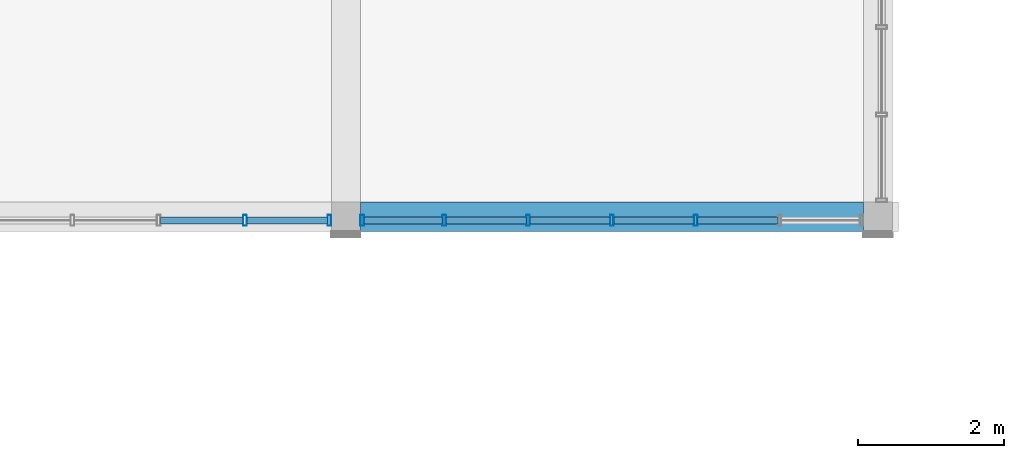
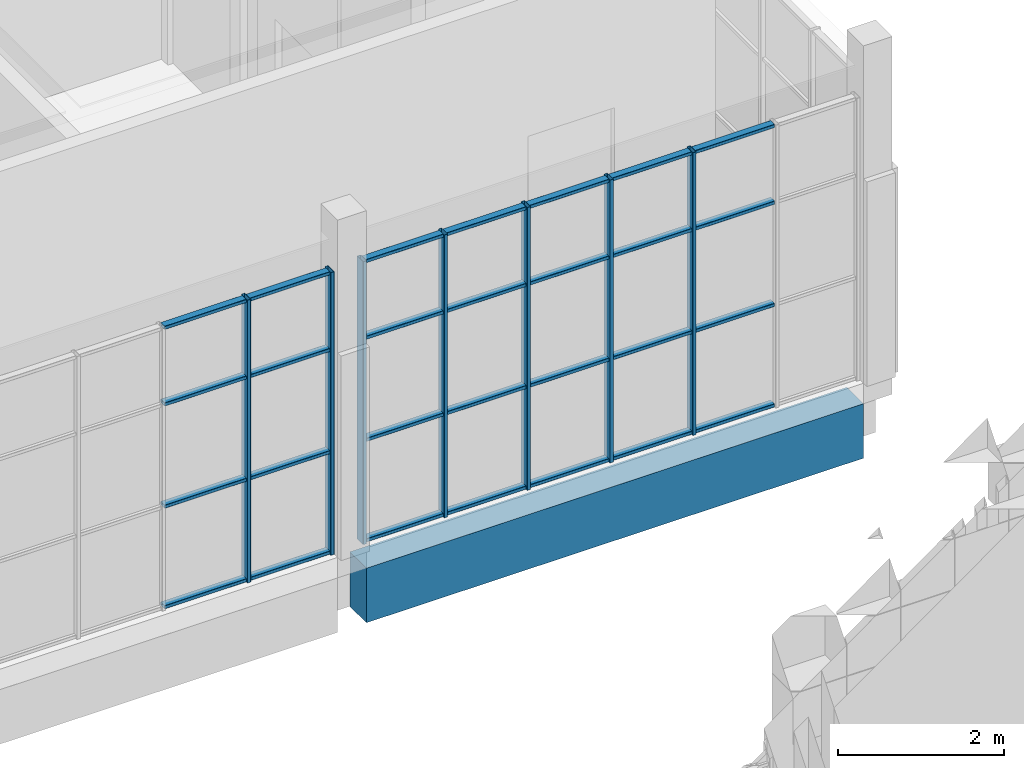
# One storey, part 24 of 125: 35 members, 1 beam, 2 elements without a shape of their own.
"""IFC4 building model written with IfcOpenShell, lengths in metres."""

from ifc_helpers import new_model, si_unit, direction, frame, origin, origin_2d, place, context, subcontext, project, spatial, rectangle, hollow_rectangle, extrude, material, material_profile, profile_set, type_object, element, aggregate, save


model = new_model("IFC4")

# Units and contexts
model_context = context("Model", 3, precision=1e-05, world=origin(), true_north=direction((0.0, 1.0)))
body_context = subcontext(model_context, "Body", "Model", "MODEL_VIEW")
ifc_project = project(units=[si_unit("LENGTHUNIT", "METRE"), si_unit("AREAUNIT", "SQUARE_METRE"), si_unit("VOLUMEUNIT", "CUBIC_METRE"), si_unit("PLANEANGLEUNIT", "RADIAN"), si_unit("MASSUNIT", "GRAM", prefix="KILO")], contexts=[model_context])

# Site, building, storey
site_placement = place(None, origin())
site = spatial("IfcSite", under=ifc_project, at=site_placement, CompositionType="ELEMENT")
building_placement = place(site_placement, origin())
building = spatial("IfcBuilding", under=site, at=building_placement, Name="Sun Court Science Centre", CompositionType="ELEMENT")
storey_placement = place(building_placement, frame((0.0, 0.0, 6.0)))
storey = spatial("IfcBuildingStorey", under=building, at=storey_placement, Name="L01", CompositionType="ELEMENT", Elevation=6.0)

# Curtain wall, members
ifc_material_1 = material(Name="Aluminium EN AW-6063 T6", Category="aluminium")
curtain_wall_type = type_object("IfcCurtainWallType", Name="Pavilion curtain wall 1200", PredefinedType="NOTDEFINED", material=ifc_material_1)
curtain_wall_1_placement = place(storey_placement, origin())
curtain_wall_1 = element("IfcCurtainWall", 1, at=curtain_wall_1_placement, inside=storey, type_object=curtain_wall_type, Name="Curtain wall V5 S L01 01", PredefinedType="NOTDEFINED")
ifc_material_2 = material(Name="Aluminium EN AW-6063 T6", Category="aluminium")
ifc_material_profile_1 = material_profile(ifc_material_2, hollow_rectangle(XDim=0.050048828125, YDim=0.14990234375, WallThickness=0.00390625, InnerFilletRadius=0.00390625, OuterFilletRadius=0.006103515625, at=origin_2d()), Name="AL 50x150x4")
ifc_profile_set_1 = profile_set([ifc_material_profile_1], Name="Aluminium EN AW-6063 T6")
member_type_1 = type_object("IfcMemberType", Name="Curtain wall mullion AL 50x150", PredefinedType="MULLION", material=ifc_profile_set_1)
member_1_placement = place(storey_placement, frame((58.72509765625, 36.14990234375, 0.0), z_axis=(0.0, 0.0, 1.0), x_axis=(-1.0, 0.0, 0.0)))
member_1 = element("IfcMember", 2, at=member_1_placement, type_object=member_type_1, Name="CW3-05 mullion 7", PredefinedType="MULLION", context=body_context, shape_type="SweptSolid", body=[
    extrude(hollow_rectangle(XDim=0.050048828125, YDim=0.14990234375, WallThickness=0.00390625, InnerFilletRadius=0.00390625, OuterFilletRadius=0.006103515625, at=origin_2d()), origin(), (0.0, 0.0, 1.0), 4.14990234375),
])
member_2_placement = place(storey_placement, frame((59.85009765625, 36.14990234375, 0.0), z_axis=(0.0, 0.0, 1.0), x_axis=(-1.0, 0.0, 0.0)))
member_2 = element("IfcMember", 3, at=member_2_placement, type_object=member_type_1, Name="CW3-05 mullion 6", PredefinedType="MULLION", context=body_context, shape_type="SweptSolid", body=[
    extrude(hollow_rectangle(XDim=0.050048828125, YDim=0.14990234375, WallThickness=0.00390625, InnerFilletRadius=0.00390625, OuterFilletRadius=0.006103515625, at=origin_2d()), origin(), (0.0, 0.0, 1.0), 4.14990234375),
])
member_3_placement = place(storey_placement, frame((61.0, 36.14990234375, 0.0), z_axis=(0.0, 0.0, 1.0), x_axis=(-1.0, 0.0, 0.0)))
member_3 = element("IfcMember", 4, at=member_3_placement, type_object=member_type_1, Name="CW3-05 mullion 5", PredefinedType="MULLION", context=body_context, shape_type="SweptSolid", body=[
    extrude(hollow_rectangle(XDim=0.050048828125, YDim=0.14990234375, WallThickness=0.00390625, InnerFilletRadius=0.00390625, OuterFilletRadius=0.006103515625, at=origin_2d()), origin(), (0.0, 0.0, 1.0), 4.14990234375),
])
member_4_placement = place(storey_placement, frame((62.14990234375, 36.14990234375, 0.0), z_axis=(0.0, 0.0, 1.0), x_axis=(-1.0, 0.0, 0.0)))
member_4 = element("IfcMember", 5, at=member_4_placement, type_object=member_type_1, Name="CW3-05 mullion 4", PredefinedType="MULLION", context=body_context, shape_type="SweptSolid", body=[
    extrude(hollow_rectangle(XDim=0.050048828125, YDim=0.14990234375, WallThickness=0.00390625, InnerFilletRadius=0.00390625, OuterFilletRadius=0.006103515625, at=origin_2d()), origin(), (0.0, 0.0, 1.0), 4.14990234375),
])
member_5_placement = place(storey_placement, frame((63.300048828125, 36.14990234375, 0.0), z_axis=(0.0, 0.0, 1.0), x_axis=(-1.0, 0.0, 0.0)))
member_5 = element("IfcMember", 6, at=member_5_placement, type_object=member_type_1, Name="CW3-05 mullion 3", PredefinedType="MULLION", context=body_context, shape_type="SweptSolid", body=[
    extrude(hollow_rectangle(XDim=0.050048828125, YDim=0.14990234375, WallThickness=0.00390625, InnerFilletRadius=0.00390625, OuterFilletRadius=0.006103515625, at=origin_2d()), origin(), (0.0, 0.0, 1.0), 4.14990234375),
])

curtain_wall_2_placement = place(storey_placement, origin())
curtain_wall_2 = element("IfcCurtainWall", 7, at=curtain_wall_2_placement, inside=storey, type_object=curtain_wall_type, Name="Curtain wall V5 S L01 02", PredefinedType="NOTDEFINED")
member_6_placement = place(storey_placement, frame((57.11669921875, 36.14990234375, 0.0), z_axis=(0.0, 0.0, 1.0), x_axis=(-1.0, 0.0, 0.0)))
member_6 = element("IfcMember", 8, at=member_6_placement, type_object=member_type_1, Name="CW3-06 mullion 2", PredefinedType="MULLION", context=body_context, shape_type="SweptSolid", body=[
    extrude(hollow_rectangle(XDim=0.050048828125, YDim=0.14990234375, WallThickness=0.00390625, InnerFilletRadius=0.00390625, OuterFilletRadius=0.006103515625, at=origin_2d()), origin(), (0.0, 0.0, 1.0), 4.14990234375),
])
member_7_placement = place(storey_placement, frame((58.27490234375, 36.14990234375, 0.0), z_axis=(0.0, 0.0, 1.0), x_axis=(-1.0, 0.0, 0.0)))
member_7 = element("IfcMember", 9, at=member_7_placement, type_object=member_type_1, Name="CW3-06 mullion 1", PredefinedType="MULLION", context=body_context, shape_type="SweptSolid", body=[
    extrude(hollow_rectangle(XDim=0.050048828125, YDim=0.14990234375, WallThickness=0.00390625, InnerFilletRadius=0.00390625, OuterFilletRadius=0.006103515625, at=origin_2d()), origin(), (0.0, 0.0, 1.0), 4.14990234375),
])

# Member
ifc_material_3 = material(Name="Aluminium EN AW-6063 T6", Category="aluminium")
ifc_material_profile_2 = material_profile(ifc_material_3, hollow_rectangle(XDim=0.050048828125, YDim=0.10009765625, WallThickness=0.00390625, InnerFilletRadius=0.00390625, OuterFilletRadius=0.006103515625, at=origin_2d()), Name="AL 50x100x4")
ifc_profile_set_2 = profile_set([ifc_material_profile_2], Name="Aluminium EN AW-6063 T6")
member_type_2 = type_object("IfcMemberType", Name="Curtain wall transom AL 50x100", PredefinedType="USERDEFINED", material=ifc_profile_set_2)
member_8_placement = place(storey_placement, frame((59.824951171875, 36.14990234375, 0.02490234375), z_axis=(-1.0, 0.0, 0.0), x_axis=(0.0, 0.0, 1.0)))
member_8 = element("IfcMember", 10, at=member_8_placement, type_object=member_type_2, Name="CW3-05 transom 6.1", ObjectType="TRANSOM", PredefinedType="USERDEFINED", context=body_context, shape_type="SweptSolid", body=[
    extrude(hollow_rectangle(XDim=0.050048828125, YDim=0.10009765625, WallThickness=0.00390625, InnerFilletRadius=0.00390625, OuterFilletRadius=0.006103515625, at=origin_2d()), origin(), (0.0, 0.0, 1.0), 1.074951171875),
])

member_9_placement = place(storey_placement, frame((60.97509765625, 36.14990234375, 0.02490234375), z_axis=(-1.0, 0.0, 0.0), x_axis=(0.0, 0.0, 1.0)))
member_9 = element("IfcMember", 11, at=member_9_placement, type_object=member_type_2, Name="CW3-05 transom 5.1", ObjectType="TRANSOM", PredefinedType="USERDEFINED", context=body_context, shape_type="SweptSolid", body=[
    extrude(hollow_rectangle(XDim=0.050048828125, YDim=0.10009765625, WallThickness=0.00390625, InnerFilletRadius=0.00390625, OuterFilletRadius=0.006103515625, at=origin_2d()), origin(), (0.0, 0.0, 1.0), 1.10009765625),
])

member_10_placement = place(storey_placement, frame((62.125, 36.14990234375, 0.02490234375), z_axis=(-1.0, 0.0, 0.0), x_axis=(0.0, 0.0, 1.0)))
member_10 = element("IfcMember", 12, at=member_10_placement, type_object=member_type_2, Name="CW3-05 transom 4.1", ObjectType="TRANSOM", PredefinedType="USERDEFINED", context=body_context, shape_type="SweptSolid", body=[
    extrude(hollow_rectangle(XDim=0.050048828125, YDim=0.10009765625, WallThickness=0.00390625, InnerFilletRadius=0.00390625, OuterFilletRadius=0.006103515625, at=origin_2d()), origin(), (0.0, 0.0, 1.0), 1.10009765625),
])

member_11_placement = place(storey_placement, frame((63.27490234375, 36.14990234375, 0.02490234375), z_axis=(-1.0, 0.0, 0.0), x_axis=(0.0, 0.0, 1.0)))
member_11 = element("IfcMember", 13, at=member_11_placement, type_object=member_type_2, Name="CW3-05 transom 3.1", ObjectType="TRANSOM", PredefinedType="USERDEFINED", context=body_context, shape_type="SweptSolid", body=[
    extrude(hollow_rectangle(XDim=0.050048828125, YDim=0.10009765625, WallThickness=0.00390625, InnerFilletRadius=0.00390625, OuterFilletRadius=0.006103515625, at=origin_2d()), origin(), (0.0, 0.0, 1.0), 1.099853515625),
])

member_12_placement = place(storey_placement, frame((64.425048828125, 36.14990234375, 0.02490234375), z_axis=(-1.0, 0.0, 0.0), x_axis=(0.0, 0.0, 1.0)))
member_12 = element("IfcMember", 14, at=member_12_placement, type_object=member_type_2, Name="CW3-05 transom 2.1", ObjectType="TRANSOM", PredefinedType="USERDEFINED", context=body_context, shape_type="SweptSolid", body=[
    extrude(hollow_rectangle(XDim=0.050048828125, YDim=0.10009765625, WallThickness=0.00390625, InnerFilletRadius=0.00390625, OuterFilletRadius=0.006103515625, at=origin_2d()), origin(), (0.0, 0.0, 1.0), 1.10009765625),
])

member_13_placement = place(storey_placement, frame((59.824951171875, 36.14990234375, 1.5), z_axis=(-1.0, 0.0, 0.0), x_axis=(0.0, 0.0, 1.0)))
member_13 = element("IfcMember", 15, at=member_13_placement, type_object=member_type_2, Name="CW3-05 transom 6.2", ObjectType="TRANSOM", PredefinedType="USERDEFINED", context=body_context, shape_type="SweptSolid", body=[
    extrude(hollow_rectangle(XDim=0.050048828125, YDim=0.10009765625, WallThickness=0.00390625, InnerFilletRadius=0.00390625, OuterFilletRadius=0.006103515625, at=origin_2d()), origin(), (0.0, 0.0, 1.0), 1.074951171875),
])

member_14_placement = place(storey_placement, frame((60.97509765625, 36.14990234375, 1.5), z_axis=(-1.0, 0.0, 0.0), x_axis=(0.0, 0.0, 1.0)))
member_14 = element("IfcMember", 16, at=member_14_placement, type_object=member_type_2, Name="CW3-05 transom 5.2", ObjectType="TRANSOM", PredefinedType="USERDEFINED", context=body_context, shape_type="SweptSolid", body=[
    extrude(hollow_rectangle(XDim=0.050048828125, YDim=0.10009765625, WallThickness=0.00390625, InnerFilletRadius=0.00390625, OuterFilletRadius=0.006103515625, at=origin_2d()), origin(), (0.0, 0.0, 1.0), 1.10009765625),
])

member_15_placement = place(storey_placement, frame((62.125, 36.14990234375, 1.5), z_axis=(-1.0, 0.0, 0.0), x_axis=(0.0, 0.0, 1.0)))
member_15 = element("IfcMember", 17, at=member_15_placement, type_object=member_type_2, Name="CW3-05 transom 4.2", ObjectType="TRANSOM", PredefinedType="USERDEFINED", context=body_context, shape_type="SweptSolid", body=[
    extrude(hollow_rectangle(XDim=0.050048828125, YDim=0.10009765625, WallThickness=0.00390625, InnerFilletRadius=0.00390625, OuterFilletRadius=0.006103515625, at=origin_2d()), origin(), (0.0, 0.0, 1.0), 1.10009765625),
])

member_16_placement = place(storey_placement, frame((63.27490234375, 36.14990234375, 1.5), z_axis=(-1.0, 0.0, 0.0), x_axis=(0.0, 0.0, 1.0)))
member_16 = element("IfcMember", 18, at=member_16_placement, type_object=member_type_2, Name="CW3-05 transom 3.2", ObjectType="TRANSOM", PredefinedType="USERDEFINED", context=body_context, shape_type="SweptSolid", body=[
    extrude(hollow_rectangle(XDim=0.050048828125, YDim=0.10009765625, WallThickness=0.00390625, InnerFilletRadius=0.00390625, OuterFilletRadius=0.006103515625, at=origin_2d()), origin(), (0.0, 0.0, 1.0), 1.099853515625),
])

member_17_placement = place(storey_placement, frame((64.425048828125, 36.14990234375, 1.5), z_axis=(-1.0, 0.0, 0.0), x_axis=(0.0, 0.0, 1.0)))
member_17 = element("IfcMember", 19, at=member_17_placement, type_object=member_type_2, Name="CW3-05 transom 2.2", ObjectType="TRANSOM", PredefinedType="USERDEFINED", context=body_context, shape_type="SweptSolid", body=[
    extrude(hollow_rectangle(XDim=0.050048828125, YDim=0.10009765625, WallThickness=0.00390625, InnerFilletRadius=0.00390625, OuterFilletRadius=0.006103515625, at=origin_2d()), origin(), (0.0, 0.0, 1.0), 1.10009765625),
])

member_18_placement = place(storey_placement, frame((59.824951171875, 36.14990234375, 3.0), z_axis=(-1.0, 0.0, 0.0), x_axis=(0.0, 0.0, 1.0)))
member_18 = element("IfcMember", 20, at=member_18_placement, type_object=member_type_2, Name="CW3-05 transom 6.3", ObjectType="TRANSOM", PredefinedType="USERDEFINED", context=body_context, shape_type="SweptSolid", body=[
    extrude(hollow_rectangle(XDim=0.050048828125, YDim=0.10009765625, WallThickness=0.00390625, InnerFilletRadius=0.00390625, OuterFilletRadius=0.006103515625, at=origin_2d()), origin(), (0.0, 0.0, 1.0), 1.074951171875),
])

member_19_placement = place(storey_placement, frame((60.97509765625, 36.14990234375, 3.0), z_axis=(-1.0, 0.0, 0.0), x_axis=(0.0, 0.0, 1.0)))
member_19 = element("IfcMember", 21, at=member_19_placement, type_object=member_type_2, Name="CW3-05 transom 5.3", ObjectType="TRANSOM", PredefinedType="USERDEFINED", context=body_context, shape_type="SweptSolid", body=[
    extrude(hollow_rectangle(XDim=0.050048828125, YDim=0.10009765625, WallThickness=0.00390625, InnerFilletRadius=0.00390625, OuterFilletRadius=0.006103515625, at=origin_2d()), origin(), (0.0, 0.0, 1.0), 1.10009765625),
])

member_20_placement = place(storey_placement, frame((62.125, 36.14990234375, 3.0), z_axis=(-1.0, 0.0, 0.0), x_axis=(0.0, 0.0, 1.0)))
member_20 = element("IfcMember", 22, at=member_20_placement, type_object=member_type_2, Name="CW3-05 transom 4.3", ObjectType="TRANSOM", PredefinedType="USERDEFINED", context=body_context, shape_type="SweptSolid", body=[
    extrude(hollow_rectangle(XDim=0.050048828125, YDim=0.10009765625, WallThickness=0.00390625, InnerFilletRadius=0.00390625, OuterFilletRadius=0.006103515625, at=origin_2d()), origin(), (0.0, 0.0, 1.0), 1.10009765625),
])

member_21_placement = place(storey_placement, frame((63.27490234375, 36.14990234375, 3.0), z_axis=(-1.0, 0.0, 0.0), x_axis=(0.0, 0.0, 1.0)))
member_21 = element("IfcMember", 23, at=member_21_placement, type_object=member_type_2, Name="CW3-05 transom 3.3", ObjectType="TRANSOM", PredefinedType="USERDEFINED", context=body_context, shape_type="SweptSolid", body=[
    extrude(hollow_rectangle(XDim=0.050048828125, YDim=0.10009765625, WallThickness=0.00390625, InnerFilletRadius=0.00390625, OuterFilletRadius=0.006103515625, at=origin_2d()), origin(), (0.0, 0.0, 1.0), 1.099853515625),
])

member_22_placement = place(storey_placement, frame((64.425048828125, 36.14990234375, 3.0), z_axis=(-1.0, 0.0, 0.0), x_axis=(0.0, 0.0, 1.0)))
member_22 = element("IfcMember", 24, at=member_22_placement, type_object=member_type_2, Name="CW3-05 transom 2.3", ObjectType="TRANSOM", PredefinedType="USERDEFINED", context=body_context, shape_type="SweptSolid", body=[
    extrude(hollow_rectangle(XDim=0.050048828125, YDim=0.10009765625, WallThickness=0.00390625, InnerFilletRadius=0.00390625, OuterFilletRadius=0.006103515625, at=origin_2d()), origin(), (0.0, 0.0, 1.0), 1.10009765625),
])

member_23_placement = place(storey_placement, frame((59.824951171875, 36.14990234375, 4.125), z_axis=(-1.0, 0.0, 0.0), x_axis=(0.0, 0.0, 1.0)))
member_23 = element("IfcMember", 25, at=member_23_placement, type_object=member_type_2, Name="CW3-05 transom 6.4", ObjectType="TRANSOM", PredefinedType="USERDEFINED", context=body_context, shape_type="SweptSolid", body=[
    extrude(hollow_rectangle(XDim=0.050048828125, YDim=0.10009765625, WallThickness=0.00390625, InnerFilletRadius=0.00390625, OuterFilletRadius=0.006103515625, at=origin_2d()), origin(), (0.0, 0.0, 1.0), 1.074951171875),
])

member_24_placement = place(storey_placement, frame((60.97509765625, 36.14990234375, 4.125), z_axis=(-1.0, 0.0, 0.0), x_axis=(0.0, 0.0, 1.0)))
member_24 = element("IfcMember", 26, at=member_24_placement, type_object=member_type_2, Name="CW3-05 transom 5.4", ObjectType="TRANSOM", PredefinedType="USERDEFINED", context=body_context, shape_type="SweptSolid", body=[
    extrude(hollow_rectangle(XDim=0.050048828125, YDim=0.10009765625, WallThickness=0.00390625, InnerFilletRadius=0.00390625, OuterFilletRadius=0.006103515625, at=origin_2d()), origin(), (0.0, 0.0, 1.0), 1.10009765625),
])

member_25_placement = place(storey_placement, frame((62.125, 36.14990234375, 4.125), z_axis=(-1.0, 0.0, 0.0), x_axis=(0.0, 0.0, 1.0)))
member_25 = element("IfcMember", 27, at=member_25_placement, type_object=member_type_2, Name="CW3-05 transom 4.4", ObjectType="TRANSOM", PredefinedType="USERDEFINED", context=body_context, shape_type="SweptSolid", body=[
    extrude(hollow_rectangle(XDim=0.050048828125, YDim=0.10009765625, WallThickness=0.00390625, InnerFilletRadius=0.00390625, OuterFilletRadius=0.006103515625, at=origin_2d()), origin(), (0.0, 0.0, 1.0), 1.10009765625),
])

member_26_placement = place(storey_placement, frame((63.27490234375, 36.14990234375, 4.125), z_axis=(-1.0, 0.0, 0.0), x_axis=(0.0, 0.0, 1.0)))
member_26 = element("IfcMember", 28, at=member_26_placement, type_object=member_type_2, Name="CW3-05 transom 3.4", ObjectType="TRANSOM", PredefinedType="USERDEFINED", context=body_context, shape_type="SweptSolid", body=[
    extrude(hollow_rectangle(XDim=0.050048828125, YDim=0.10009765625, WallThickness=0.00390625, InnerFilletRadius=0.00390625, OuterFilletRadius=0.006103515625, at=origin_2d()), origin(), (0.0, 0.0, 1.0), 1.099853515625),
])

member_27_placement = place(storey_placement, frame((64.425048828125, 36.14990234375, 4.125), z_axis=(-1.0, 0.0, 0.0), x_axis=(0.0, 0.0, 1.0)))
member_27 = element("IfcMember", 29, at=member_27_placement, type_object=member_type_2, Name="CW3-05 transom 2.4", ObjectType="TRANSOM", PredefinedType="USERDEFINED", context=body_context, shape_type="SweptSolid", body=[
    extrude(hollow_rectangle(XDim=0.050048828125, YDim=0.10009765625, WallThickness=0.00390625, InnerFilletRadius=0.00390625, OuterFilletRadius=0.006103515625, at=origin_2d()), origin(), (0.0, 0.0, 1.0), 1.10009765625),
])

aggregate(curtain_wall_1, [member_1, member_2, member_3, member_4, member_5, member_8, member_9, member_10, member_11, member_12, member_13, member_14, member_15, member_16, member_17, member_18, member_19, member_20, member_21, member_22, member_23, member_24, member_25, member_26, member_27])

member_28_placement = place(storey_placement, frame((57.091552734375, 36.14990234375, 0.02490234375), z_axis=(-1.0, 0.0, 0.0), x_axis=(0.0, 0.0, 1.0)))
member_28 = element("IfcMember", 30, at=member_28_placement, type_object=member_type_2, Name="CW3-06 transom 2.1", ObjectType="TRANSOM", PredefinedType="USERDEFINED", context=body_context, shape_type="SweptSolid", body=[
    extrude(hollow_rectangle(XDim=0.050048828125, YDim=0.10009765625, WallThickness=0.00390625, InnerFilletRadius=0.00390625, OuterFilletRadius=0.006103515625, at=origin_2d()), origin(), (0.0, 0.0, 1.0), 1.13330078125),
])

member_29_placement = place(storey_placement, frame((58.25, 36.14990234375, 0.02490234375), z_axis=(-1.0, 0.0, 0.0), x_axis=(0.0, 0.0, 1.0)))
member_29 = element("IfcMember", 31, at=member_29_placement, type_object=member_type_2, Name="CW3-06 transom 1.1", ObjectType="TRANSOM", PredefinedType="USERDEFINED", context=body_context, shape_type="SweptSolid", body=[
    extrude(hollow_rectangle(XDim=0.050048828125, YDim=0.10009765625, WallThickness=0.00390625, InnerFilletRadius=0.00390625, OuterFilletRadius=0.006103515625, at=origin_2d()), origin(), (0.0, 0.0, 1.0), 1.1083984375),
])

member_30_placement = place(storey_placement, frame((57.091552734375, 36.14990234375, 1.5), z_axis=(-1.0, 0.0, 0.0), x_axis=(0.0, 0.0, 1.0)))
member_30 = element("IfcMember", 32, at=member_30_placement, type_object=member_type_2, Name="CW3-06 transom 2.2", ObjectType="TRANSOM", PredefinedType="USERDEFINED", context=body_context, shape_type="SweptSolid", body=[
    extrude(hollow_rectangle(XDim=0.050048828125, YDim=0.10009765625, WallThickness=0.00390625, InnerFilletRadius=0.00390625, OuterFilletRadius=0.006103515625, at=origin_2d()), origin(), (0.0, 0.0, 1.0), 1.13330078125),
])

member_31_placement = place(storey_placement, frame((58.25, 36.14990234375, 1.5), z_axis=(-1.0, 0.0, 0.0), x_axis=(0.0, 0.0, 1.0)))
member_31 = element("IfcMember", 33, at=member_31_placement, type_object=member_type_2, Name="CW3-06 transom 1.2", ObjectType="TRANSOM", PredefinedType="USERDEFINED", context=body_context, shape_type="SweptSolid", body=[
    extrude(hollow_rectangle(XDim=0.050048828125, YDim=0.10009765625, WallThickness=0.00390625, InnerFilletRadius=0.00390625, OuterFilletRadius=0.006103515625, at=origin_2d()), origin(), (0.0, 0.0, 1.0), 1.1083984375),
])

member_32_placement = place(storey_placement, frame((57.091552734375, 36.14990234375, 3.0), z_axis=(-1.0, 0.0, 0.0), x_axis=(0.0, 0.0, 1.0)))
member_32 = element("IfcMember", 34, at=member_32_placement, type_object=member_type_2, Name="CW3-06 transom 2.3", ObjectType="TRANSOM", PredefinedType="USERDEFINED", context=body_context, shape_type="SweptSolid", body=[
    extrude(hollow_rectangle(XDim=0.050048828125, YDim=0.10009765625, WallThickness=0.00390625, InnerFilletRadius=0.00390625, OuterFilletRadius=0.006103515625, at=origin_2d()), origin(), (0.0, 0.0, 1.0), 1.13330078125),
])

member_33_placement = place(storey_placement, frame((58.25, 36.14990234375, 3.0), z_axis=(-1.0, 0.0, 0.0), x_axis=(0.0, 0.0, 1.0)))
member_33 = element("IfcMember", 35, at=member_33_placement, type_object=member_type_2, Name="CW3-06 transom 1.3", ObjectType="TRANSOM", PredefinedType="USERDEFINED", context=body_context, shape_type="SweptSolid", body=[
    extrude(hollow_rectangle(XDim=0.050048828125, YDim=0.10009765625, WallThickness=0.00390625, InnerFilletRadius=0.00390625, OuterFilletRadius=0.006103515625, at=origin_2d()), origin(), (0.0, 0.0, 1.0), 1.1083984375),
])

member_34_placement = place(storey_placement, frame((57.091552734375, 36.14990234375, 4.125), z_axis=(-1.0, 0.0, 0.0), x_axis=(0.0, 0.0, 1.0)))
member_34 = element("IfcMember", 36, at=member_34_placement, type_object=member_type_2, Name="CW3-06 transom 2.4", ObjectType="TRANSOM", PredefinedType="USERDEFINED", context=body_context, shape_type="SweptSolid", body=[
    extrude(hollow_rectangle(XDim=0.050048828125, YDim=0.10009765625, WallThickness=0.00390625, InnerFilletRadius=0.00390625, OuterFilletRadius=0.006103515625, at=origin_2d()), origin(), (0.0, 0.0, 1.0), 1.13330078125),
])

member_35_placement = place(storey_placement, frame((58.25, 36.14990234375, 4.125), z_axis=(-1.0, 0.0, 0.0), x_axis=(0.0, 0.0, 1.0)))
member_35 = element("IfcMember", 37, at=member_35_placement, type_object=member_type_2, Name="CW3-06 transom 1.4", ObjectType="TRANSOM", PredefinedType="USERDEFINED", context=body_context, shape_type="SweptSolid", body=[
    extrude(hollow_rectangle(XDim=0.050048828125, YDim=0.10009765625, WallThickness=0.00390625, InnerFilletRadius=0.00390625, OuterFilletRadius=0.006103515625, at=origin_2d()), origin(), (0.0, 0.0, 1.0), 1.1083984375),
])

aggregate(curtain_wall_2, [member_6, member_7, member_28, member_29, member_30, member_31, member_32, member_33, member_34, member_35])

# Beam
ifc_material_4 = material(Name="Concrete C25/30", Category="concrete")
ifc_material_profile_3 = material_profile(ifc_material_4, rectangle(XDim=0.39990234375, YDim=0.800048828125, at=origin_2d()), Name="RC 400x800")
ifc_profile_set_3 = profile_set([ifc_material_profile_3], Name="Concrete C25/30")
beam_type = type_object("IfcBeamType", Name="RC girder 400x800", PredefinedType="BEAM", material=ifc_profile_set_3)
beam_placement = place(storey_placement, frame((58.699951171875, 36.199951171875, -0.699951171875), z_axis=(1.0, 0.0, 0.0), x_axis=(0.0, 1.0, 0.0)))
element("IfcBeam", 38, at=beam_placement, inside=storey, type_object=beam_type, Name="Girder L01 row 1", PredefinedType="BEAM", context=body_context, shape_type="SweptSolid", body=[
    extrude(rectangle(XDim=0.39990234375, YDim=0.800048828125, at=origin_2d()), origin(), (0.0, 0.0, 1.0), 6.900146484375),
])

save(model, "model.ifc")
